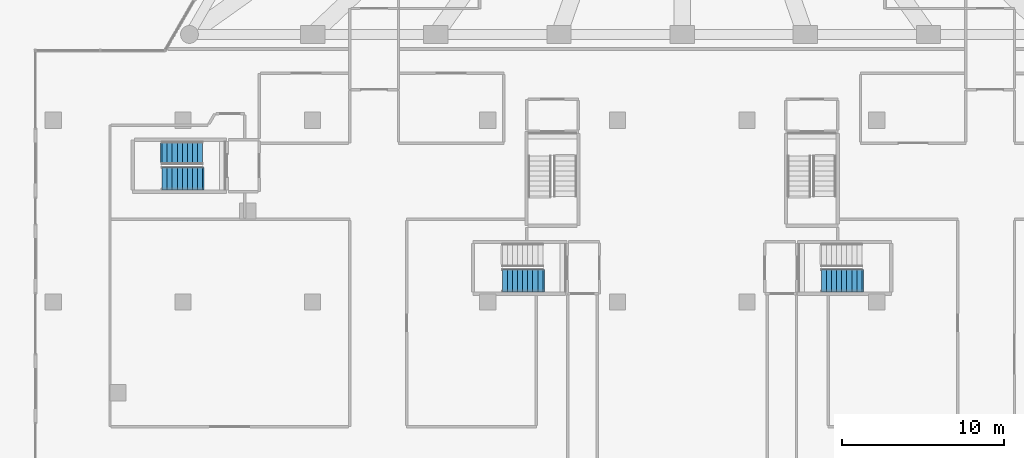
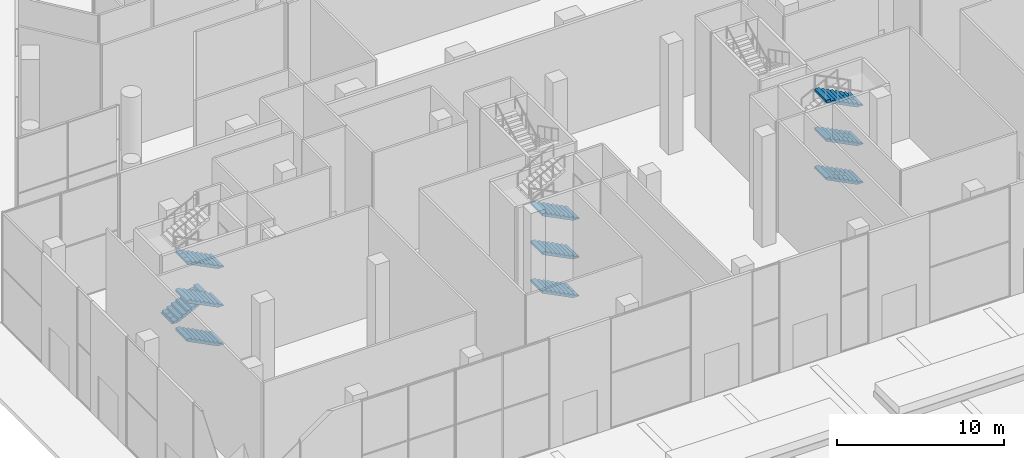
# One storey, part 28 of 41: 10 stair flights, 3 elements without a shape of their own.
"""IFC4 building model written with IfcOpenShell, lengths in metres."""

from ifc_helpers import new_model, si_unit, direction, frame, origin, place, context, subcontext, project, spatial, polyline, outline, extrude, material, type_object, element, aggregate, save


model = new_model("IFC4")

# Units and contexts
model_context = context("Model", 3, precision=1e-05, world=origin(), true_north=direction((0.0, 1.0)))
body_context = subcontext(model_context, "Body", "Model", "MODEL_VIEW")
ifc_project = project(units=[si_unit("LENGTHUNIT", "METRE"), si_unit("AREAUNIT", "SQUARE_METRE"), si_unit("VOLUMEUNIT", "CUBIC_METRE"), si_unit("PLANEANGLEUNIT", "RADIAN"), si_unit("MASSUNIT", "GRAM", prefix="KILO")], contexts=[model_context])

# Site, building, storey
site_placement = place(None, origin())
site = spatial("IfcSite", under=ifc_project, at=site_placement, CompositionType="ELEMENT")
building_placement = place(site_placement, origin())
building = spatial("IfcBuilding", under=site, at=building_placement, Name="Triada Interchange Tower", CompositionType="ELEMENT")
storey_placement = place(building_placement, origin())
storey = spatial("IfcBuildingStorey", under=building, at=storey_placement, Name="L00", CompositionType="ELEMENT", Elevation=0.0)

# Stair, stair flights
ifc_material = material(Name="Concrete C35/45", Category="concrete")
stair_type = type_object("IfcStairType", Name="HALF TURN STAIR 1400", PredefinedType="HALF_TURN_STAIR", material=ifc_material)
stair_1_placement = place(storey_placement, origin())
stair_1 = element("IfcStair", 1, at=stair_1_placement, inside=storey, type_object=stair_type, Name="Exit stair S00-4", PredefinedType="HALF_TURN_STAIR")
stair_flight_type = type_object("IfcStairFlightType", Name="STRAIGHT STAIR FLIGHT 1400", PredefinedType="STRAIGHT", material=ifc_material)
stair_flight_1_placement = place(storey_placement, frame((-8.60009765625, -36.800048828125, 0.0), z_axis=(0.0, 0.0, 1.0), x_axis=(-1.0, 0.0, 0.0)))
stair_flight_1 = element("IfcStairFlight", 2, at=stair_flight_1_placement, type_object=stair_flight_type, Name="S00-4 flight 1", NumberOfRisers=9, NumberOfTreads=8, PredefinedType="STRAIGHT", RiserHeight=0.15741, TreadLength=0.31, context=body_context, shape_type="SweptSolid", body=[
    extrude(outline(polyline([(-0.10009765625, 0.0), (-0.10009765625, 0.02001953125), (0.0, 0.02001953125), (0.0, 0.157470703125), (0.31005859375, 0.157470703125), (0.31005859375, 0.31494140625), (0.6201171875, 0.31494140625), (0.6201171875, 0.47216796875), (0.929931640625, 0.47216796875), (0.929931640625, 0.629638671875), (1.239990234375, 0.629638671875), (1.239990234375, 0.787109375), (1.550048828125, 0.787109375), (1.550048828125, 0.944580078125), (1.860107421875, 0.944580078125), (1.860107421875, 1.101806640625), (2.169921875, 1.101806640625), (2.169921875, 1.25927734375), (2.47998046875, 1.25927734375), (2.48388671875, 1.25927734375), (2.48388671875, 1.416748046875), (2.48388671875, 1.091064453125), (0.3310546875, 0.0), (-0.10009765625, 0.0)])), frame((0.0, 0.699951171875, 0.0), z_axis=(0.0, -1.0, 0.0), x_axis=(1.0, 0.0, 0.0)), (0.0, 0.0, 1.0), 0.46533203125),
    extrude(outline(polyline([(-0.10009765625, 0.0), (-0.10009765625, 0.02001953125), (0.0, 0.02001953125), (0.0, 0.157470703125), (0.31005859375, 0.157470703125), (0.31005859375, 0.31494140625), (0.6201171875, 0.31494140625), (0.6201171875, 0.47216796875), (0.929931640625, 0.47216796875), (0.929931640625, 0.629638671875), (1.239990234375, 0.629638671875), (1.239990234375, 0.787109375), (1.550048828125, 0.787109375), (1.550048828125, 0.944580078125), (1.860107421875, 0.944580078125), (1.860107421875, 1.101806640625), (2.169921875, 1.101806640625), (2.169921875, 1.25927734375), (2.47998046875, 1.25927734375), (2.48388671875, 1.25927734375), (2.48388671875, 1.416748046875), (2.48388671875, 1.091064453125), (0.3310546875, 0.0), (-0.10009765625, 0.0)])), frame((0.0, 0.232666015625, 0.0), z_axis=(0.0, -1.0, 0.0), x_axis=(1.0, 0.0, 0.0)), (0.0, 0.0, 1.0), 0.46533203125),
    extrude(outline(polyline([(-0.10009765625, 0.0), (-0.10009765625, 0.02001953125), (0.0, 0.02001953125), (0.0, 0.157470703125), (0.31005859375, 0.157470703125), (0.31005859375, 0.31494140625), (0.6201171875, 0.31494140625), (0.6201171875, 0.47216796875), (0.929931640625, 0.47216796875), (0.929931640625, 0.629638671875), (1.239990234375, 0.629638671875), (1.239990234375, 0.787109375), (1.550048828125, 0.787109375), (1.550048828125, 0.944580078125), (1.860107421875, 0.944580078125), (1.860107421875, 1.101806640625), (2.169921875, 1.101806640625), (2.169921875, 1.25927734375), (2.47998046875, 1.25927734375), (2.48388671875, 1.25927734375), (2.48388671875, 1.416748046875), (2.48388671875, 1.091064453125), (0.3310546875, 0.0), (-0.10009765625, 0.0)])), frame((0.0, -0.234619140625, 0.0), z_axis=(0.0, -1.0, 0.0), x_axis=(1.0, 0.0, 0.0)), (0.0, 0.0, 1.0), 0.46533203125),
])
stair_flight_2_placement = place(storey_placement, frame((-8.60009765625, -36.800048828125, 2.83349609375), z_axis=(0.0, 0.0, 1.0), x_axis=(-1.0, 0.0, 0.0)))
stair_flight_2 = element("IfcStairFlight", 3, at=stair_flight_2_placement, type_object=stair_flight_type, Name="S00-4 flight 3", NumberOfRisers=9, NumberOfTreads=8, PredefinedType="STRAIGHT", RiserHeight=0.15741, TreadLength=0.31, context=body_context, shape_type="SweptSolid", body=[
    extrude(outline(polyline([(-0.10009765625, 0.0), (-0.10009765625, 0.02001953125), (0.0, 0.02001953125), (0.0, 0.157470703125), (0.31005859375, 0.157470703125), (0.31005859375, 0.31494140625), (0.6201171875, 0.31494140625), (0.6201171875, 0.47216796875), (0.929931640625, 0.47216796875), (0.929931640625, 0.629638671875), (1.239990234375, 0.629638671875), (1.239990234375, 0.787109375), (1.550048828125, 0.787109375), (1.550048828125, 0.944580078125), (1.860107421875, 0.944580078125), (1.860107421875, 1.101806640625), (2.169921875, 1.101806640625), (2.169921875, 1.25927734375), (2.47998046875, 1.25927734375), (2.48388671875, 1.25927734375), (2.48388671875, 1.416748046875), (2.48388671875, 1.091064453125), (0.3310546875, 0.0), (-0.10009765625, 0.0)])), frame((0.0, 0.699951171875, 0.0), z_axis=(0.0, -1.0, 0.0), x_axis=(1.0, 0.0, 0.0)), (0.0, 0.0, 1.0), 0.46533203125),
    extrude(outline(polyline([(-0.10009765625, 0.0), (-0.10009765625, 0.02001953125), (0.0, 0.02001953125), (0.0, 0.157470703125), (0.31005859375, 0.157470703125), (0.31005859375, 0.31494140625), (0.6201171875, 0.31494140625), (0.6201171875, 0.47216796875), (0.929931640625, 0.47216796875), (0.929931640625, 0.629638671875), (1.239990234375, 0.629638671875), (1.239990234375, 0.787109375), (1.550048828125, 0.787109375), (1.550048828125, 0.944580078125), (1.860107421875, 0.944580078125), (1.860107421875, 1.101806640625), (2.169921875, 1.101806640625), (2.169921875, 1.25927734375), (2.47998046875, 1.25927734375), (2.48388671875, 1.25927734375), (2.48388671875, 1.416748046875), (2.48388671875, 1.091064453125), (0.3310546875, 0.0), (-0.10009765625, 0.0)])), frame((0.0, 0.232666015625, 0.0), z_axis=(0.0, -1.0, 0.0), x_axis=(1.0, 0.0, 0.0)), (0.0, 0.0, 1.0), 0.46533203125),
    extrude(outline(polyline([(-0.10009765625, 0.0), (-0.10009765625, 0.02001953125), (0.0, 0.02001953125), (0.0, 0.157470703125), (0.31005859375, 0.157470703125), (0.31005859375, 0.31494140625), (0.6201171875, 0.31494140625), (0.6201171875, 0.47216796875), (0.929931640625, 0.47216796875), (0.929931640625, 0.629638671875), (1.239990234375, 0.629638671875), (1.239990234375, 0.787109375), (1.550048828125, 0.787109375), (1.550048828125, 0.944580078125), (1.860107421875, 0.944580078125), (1.860107421875, 1.101806640625), (2.169921875, 1.101806640625), (2.169921875, 1.25927734375), (2.47998046875, 1.25927734375), (2.48388671875, 1.25927734375), (2.48388671875, 1.416748046875), (2.48388671875, 1.091064453125), (0.3310546875, 0.0), (-0.10009765625, 0.0)])), frame((0.0, -0.234619140625, 0.0), z_axis=(0.0, -1.0, 0.0), x_axis=(1.0, 0.0, 0.0)), (0.0, 0.0, 1.0), 0.46533203125),
])
stair_flight_3_placement = place(storey_placement, frame((-8.60009765625, -36.800048828125, 5.666748046875), z_axis=(0.0, 0.0, 1.0), x_axis=(-1.0, 0.0, 0.0)))
stair_flight_3 = element("IfcStairFlight", 4, at=stair_flight_3_placement, type_object=stair_flight_type, Name="S00-4 flight 5", NumberOfRisers=9, NumberOfTreads=8, PredefinedType="STRAIGHT", RiserHeight=0.15741, TreadLength=0.31, context=body_context, shape_type="SweptSolid", body=[
    extrude(outline(polyline([(-0.10009765625, 0.0), (-0.10009765625, 0.02001953125), (0.0, 0.02001953125), (0.0, 0.157470703125), (0.31005859375, 0.157470703125), (0.31005859375, 0.31494140625), (0.6201171875, 0.31494140625), (0.6201171875, 0.47216796875), (0.929931640625, 0.47216796875), (0.929931640625, 0.629638671875), (1.239990234375, 0.629638671875), (1.239990234375, 0.787109375), (1.550048828125, 0.787109375), (1.550048828125, 0.944580078125), (1.860107421875, 0.944580078125), (1.860107421875, 1.101806640625), (2.169921875, 1.101806640625), (2.169921875, 1.25927734375), (2.47998046875, 1.25927734375), (2.48388671875, 1.25927734375), (2.48388671875, 1.416748046875), (2.48388671875, 1.091064453125), (0.3310546875, 0.0), (-0.10009765625, 0.0)])), frame((0.0, 0.699951171875, 0.0), z_axis=(0.0, -1.0, 0.0), x_axis=(1.0, 0.0, 0.0)), (0.0, 0.0, 1.0), 0.46533203125),
    extrude(outline(polyline([(-0.10009765625, 0.0), (-0.10009765625, 0.02001953125), (0.0, 0.02001953125), (0.0, 0.157470703125), (0.31005859375, 0.157470703125), (0.31005859375, 0.31494140625), (0.6201171875, 0.31494140625), (0.6201171875, 0.47216796875), (0.929931640625, 0.47216796875), (0.929931640625, 0.629638671875), (1.239990234375, 0.629638671875), (1.239990234375, 0.787109375), (1.550048828125, 0.787109375), (1.550048828125, 0.944580078125), (1.860107421875, 0.944580078125), (1.860107421875, 1.101806640625), (2.169921875, 1.101806640625), (2.169921875, 1.25927734375), (2.47998046875, 1.25927734375), (2.48388671875, 1.25927734375), (2.48388671875, 1.416748046875), (2.48388671875, 1.091064453125), (0.3310546875, 0.0), (-0.10009765625, 0.0)])), frame((0.0, 0.232666015625, 0.0), z_axis=(0.0, -1.0, 0.0), x_axis=(1.0, 0.0, 0.0)), (0.0, 0.0, 1.0), 0.46533203125),
    extrude(outline(polyline([(-0.10009765625, 0.0), (-0.10009765625, 0.02001953125), (0.0, 0.02001953125), (0.0, 0.157470703125), (0.31005859375, 0.157470703125), (0.31005859375, 0.31494140625), (0.6201171875, 0.31494140625), (0.6201171875, 0.47216796875), (0.929931640625, 0.47216796875), (0.929931640625, 0.629638671875), (1.239990234375, 0.629638671875), (1.239990234375, 0.787109375), (1.550048828125, 0.787109375), (1.550048828125, 0.944580078125), (1.860107421875, 0.944580078125), (1.860107421875, 1.101806640625), (2.169921875, 1.101806640625), (2.169921875, 1.25927734375), (2.47998046875, 1.25927734375), (2.48388671875, 1.25927734375), (2.48388671875, 1.416748046875), (2.48388671875, 1.091064453125), (0.3310546875, 0.0), (-0.10009765625, 0.0)])), frame((0.0, -0.234619140625, 0.0), z_axis=(0.0, -1.0, 0.0), x_axis=(1.0, 0.0, 0.0)), (0.0, 0.0, 1.0), 0.46533203125),
])
aggregate(stair_1, [stair_flight_1, stair_flight_2, stair_flight_3])

stair_2_placement = place(storey_placement, origin())
stair_2 = element("IfcStair", 5, at=stair_2_placement, inside=storey, type_object=stair_type, Name="Exit stair S00-5", PredefinedType="HALF_TURN_STAIR")
stair_flight_4_placement = place(storey_placement, frame((11.080078125, -36.800048828125, 1.416748046875), z_axis=(0.0, 0.0, 1.0), x_axis=(-1.0, 0.0, 0.0)))
stair_flight_4 = element("IfcStairFlight", 6, at=stair_flight_4_placement, type_object=stair_flight_type, Name="S00-5 flight 2", NumberOfRisers=9, NumberOfTreads=8, PredefinedType="STRAIGHT", RiserHeight=0.15741, TreadLength=0.31, context=body_context, shape_type="SweptSolid", body=[
    extrude(outline(polyline([(-0.10009765625, 0.0), (-0.10009765625, 0.02001953125), (0.0, 0.02001953125), (0.0, 0.157470703125), (0.31005859375, 0.157470703125), (0.31005859375, 0.31494140625), (0.6201171875, 0.31494140625), (0.6201171875, 0.47216796875), (0.929931640625, 0.47216796875), (0.929931640625, 0.629638671875), (1.239990234375, 0.629638671875), (1.239990234375, 0.787109375), (1.550048828125, 0.787109375), (1.550048828125, 0.944580078125), (1.860107421875, 0.944580078125), (1.860107421875, 1.101806640625), (2.169921875, 1.101806640625), (2.169921875, 1.25927734375), (2.47998046875, 1.25927734375), (2.48388671875, 1.25927734375), (2.48388671875, 1.416748046875), (2.48388671875, 1.091064453125), (0.3310546875, 0.0), (-0.10009765625, 0.0)])), frame((0.0, 0.699951171875, 0.0), z_axis=(0.0, -1.0, 0.0), x_axis=(1.0, 0.0, 0.0)), (0.0, 0.0, 1.0), 0.46533203125),
    extrude(outline(polyline([(-0.10009765625, 0.0), (-0.10009765625, 0.02001953125), (0.0, 0.02001953125), (0.0, 0.157470703125), (0.31005859375, 0.157470703125), (0.31005859375, 0.31494140625), (0.6201171875, 0.31494140625), (0.6201171875, 0.47216796875), (0.929931640625, 0.47216796875), (0.929931640625, 0.629638671875), (1.239990234375, 0.629638671875), (1.239990234375, 0.787109375), (1.550048828125, 0.787109375), (1.550048828125, 0.944580078125), (1.860107421875, 0.944580078125), (1.860107421875, 1.101806640625), (2.169921875, 1.101806640625), (2.169921875, 1.25927734375), (2.47998046875, 1.25927734375), (2.48388671875, 1.25927734375), (2.48388671875, 1.416748046875), (2.48388671875, 1.091064453125), (0.3310546875, 0.0), (-0.10009765625, 0.0)])), frame((0.0, 0.232666015625, 0.0), z_axis=(0.0, -1.0, 0.0), x_axis=(1.0, 0.0, 0.0)), (0.0, 0.0, 1.0), 0.46533203125),
    extrude(outline(polyline([(-0.10009765625, 0.0), (-0.10009765625, 0.02001953125), (0.0, 0.02001953125), (0.0, 0.157470703125), (0.31005859375, 0.157470703125), (0.31005859375, 0.31494140625), (0.6201171875, 0.31494140625), (0.6201171875, 0.47216796875), (0.929931640625, 0.47216796875), (0.929931640625, 0.629638671875), (1.239990234375, 0.629638671875), (1.239990234375, 0.787109375), (1.550048828125, 0.787109375), (1.550048828125, 0.944580078125), (1.860107421875, 0.944580078125), (1.860107421875, 1.101806640625), (2.169921875, 1.101806640625), (2.169921875, 1.25927734375), (2.47998046875, 1.25927734375), (2.48388671875, 1.25927734375), (2.48388671875, 1.416748046875), (2.48388671875, 1.091064453125), (0.3310546875, 0.0), (-0.10009765625, 0.0)])), frame((0.0, -0.234619140625, 0.0), z_axis=(0.0, -1.0, 0.0), x_axis=(1.0, 0.0, 0.0)), (0.0, 0.0, 1.0), 0.46533203125),
])
stair_flight_5_placement = place(storey_placement, frame((11.080078125, -36.800048828125, 4.25), z_axis=(0.0, 0.0, 1.0), x_axis=(-1.0, 0.0, 0.0)))
stair_flight_5 = element("IfcStairFlight", 7, at=stair_flight_5_placement, type_object=stair_flight_type, Name="S00-5 flight 4", NumberOfRisers=9, NumberOfTreads=8, PredefinedType="STRAIGHT", RiserHeight=0.15741, TreadLength=0.31, context=body_context, shape_type="SweptSolid", body=[
    extrude(outline(polyline([(-0.10009765625, 0.0), (-0.10009765625, 0.02001953125), (0.0, 0.02001953125), (0.0, 0.157470703125), (0.31005859375, 0.157470703125), (0.31005859375, 0.31494140625), (0.6201171875, 0.31494140625), (0.6201171875, 0.47216796875), (0.929931640625, 0.47216796875), (0.929931640625, 0.629638671875), (1.239990234375, 0.629638671875), (1.239990234375, 0.787109375), (1.550048828125, 0.787109375), (1.550048828125, 0.944580078125), (1.860107421875, 0.944580078125), (1.860107421875, 1.101806640625), (2.169921875, 1.101806640625), (2.169921875, 1.25927734375), (2.47998046875, 1.25927734375), (2.48388671875, 1.25927734375), (2.48388671875, 1.416748046875), (2.48388671875, 1.091064453125), (0.3310546875, 0.0), (-0.10009765625, 0.0)])), frame((0.0, 0.699951171875, 0.0), z_axis=(0.0, -1.0, 0.0), x_axis=(1.0, 0.0, 0.0)), (0.0, 0.0, 1.0), 0.46533203125),
    extrude(outline(polyline([(-0.10009765625, 0.0), (-0.10009765625, 0.02001953125), (0.0, 0.02001953125), (0.0, 0.157470703125), (0.31005859375, 0.157470703125), (0.31005859375, 0.31494140625), (0.6201171875, 0.31494140625), (0.6201171875, 0.47216796875), (0.929931640625, 0.47216796875), (0.929931640625, 0.629638671875), (1.239990234375, 0.629638671875), (1.239990234375, 0.787109375), (1.550048828125, 0.787109375), (1.550048828125, 0.944580078125), (1.860107421875, 0.944580078125), (1.860107421875, 1.101806640625), (2.169921875, 1.101806640625), (2.169921875, 1.25927734375), (2.47998046875, 1.25927734375), (2.48388671875, 1.25927734375), (2.48388671875, 1.416748046875), (2.48388671875, 1.091064453125), (0.3310546875, 0.0), (-0.10009765625, 0.0)])), frame((0.0, 0.232666015625, 0.0), z_axis=(0.0, -1.0, 0.0), x_axis=(1.0, 0.0, 0.0)), (0.0, 0.0, 1.0), 0.46533203125),
    extrude(outline(polyline([(-0.10009765625, 0.0), (-0.10009765625, 0.02001953125), (0.0, 0.02001953125), (0.0, 0.157470703125), (0.31005859375, 0.157470703125), (0.31005859375, 0.31494140625), (0.6201171875, 0.31494140625), (0.6201171875, 0.47216796875), (0.929931640625, 0.47216796875), (0.929931640625, 0.629638671875), (1.239990234375, 0.629638671875), (1.239990234375, 0.787109375), (1.550048828125, 0.787109375), (1.550048828125, 0.944580078125), (1.860107421875, 0.944580078125), (1.860107421875, 1.101806640625), (2.169921875, 1.101806640625), (2.169921875, 1.25927734375), (2.47998046875, 1.25927734375), (2.48388671875, 1.25927734375), (2.48388671875, 1.416748046875), (2.48388671875, 1.091064453125), (0.3310546875, 0.0), (-0.10009765625, 0.0)])), frame((0.0, -0.234619140625, 0.0), z_axis=(0.0, -1.0, 0.0), x_axis=(1.0, 0.0, 0.0)), (0.0, 0.0, 1.0), 0.46533203125),
])
stair_flight_6_placement = place(storey_placement, frame((11.080078125, -36.800048828125, 7.08349609375), z_axis=(0.0, 0.0, 1.0), x_axis=(-1.0, 0.0, 0.0)))
stair_flight_6 = element("IfcStairFlight", 8, at=stair_flight_6_placement, type_object=stair_flight_type, Name="S00-5 flight 6", NumberOfRisers=9, NumberOfTreads=8, PredefinedType="STRAIGHT", RiserHeight=0.15741, TreadLength=0.31, context=body_context, shape_type="SweptSolid", body=[
    extrude(outline(polyline([(-0.10009765625, 0.0), (-0.10009765625, 0.02001953125), (0.0, 0.02001953125), (0.0, 0.157470703125), (0.31005859375, 0.157470703125), (0.31005859375, 0.31494140625), (0.6201171875, 0.31494140625), (0.6201171875, 0.47216796875), (0.929931640625, 0.47216796875), (0.929931640625, 0.629638671875), (1.239990234375, 0.629638671875), (1.239990234375, 0.787109375), (1.550048828125, 0.787109375), (1.550048828125, 0.944580078125), (1.860107421875, 0.944580078125), (1.860107421875, 1.101806640625), (2.169921875, 1.101806640625), (2.169921875, 1.25927734375), (2.47998046875, 1.25927734375), (2.48388671875, 1.25927734375), (2.48388671875, 1.416748046875), (2.48388671875, 1.091064453125), (0.3310546875, 0.0), (-0.10009765625, 0.0)])), frame((0.0, 0.699951171875, 0.0), z_axis=(0.0, -1.0, 0.0), x_axis=(1.0, 0.0, 0.0)), (0.0, 0.0, 1.0), 0.46533203125),
    extrude(outline(polyline([(-0.10009765625, 0.0), (-0.10009765625, 0.02001953125), (0.0, 0.02001953125), (0.0, 0.157470703125), (0.31005859375, 0.157470703125), (0.31005859375, 0.31494140625), (0.6201171875, 0.31494140625), (0.6201171875, 0.47216796875), (0.929931640625, 0.47216796875), (0.929931640625, 0.629638671875), (1.239990234375, 0.629638671875), (1.239990234375, 0.787109375), (1.550048828125, 0.787109375), (1.550048828125, 0.944580078125), (1.860107421875, 0.944580078125), (1.860107421875, 1.101806640625), (2.169921875, 1.101806640625), (2.169921875, 1.25927734375), (2.47998046875, 1.25927734375), (2.48388671875, 1.25927734375), (2.48388671875, 1.416748046875), (2.48388671875, 1.091064453125), (0.3310546875, 0.0), (-0.10009765625, 0.0)])), frame((0.0, 0.232666015625, 0.0), z_axis=(0.0, -1.0, 0.0), x_axis=(1.0, 0.0, 0.0)), (0.0, 0.0, 1.0), 0.46533203125),
    extrude(outline(polyline([(-0.10009765625, 0.0), (-0.10009765625, 0.02001953125), (0.0, 0.02001953125), (0.0, 0.157470703125), (0.31005859375, 0.157470703125), (0.31005859375, 0.31494140625), (0.6201171875, 0.31494140625), (0.6201171875, 0.47216796875), (0.929931640625, 0.47216796875), (0.929931640625, 0.629638671875), (1.239990234375, 0.629638671875), (1.239990234375, 0.787109375), (1.550048828125, 0.787109375), (1.550048828125, 0.944580078125), (1.860107421875, 0.944580078125), (1.860107421875, 1.101806640625), (2.169921875, 1.101806640625), (2.169921875, 1.25927734375), (2.47998046875, 1.25927734375), (2.48388671875, 1.25927734375), (2.48388671875, 1.416748046875), (2.48388671875, 1.091064453125), (0.3310546875, 0.0), (-0.10009765625, 0.0)])), frame((0.0, -0.234619140625, 0.0), z_axis=(0.0, -1.0, 0.0), x_axis=(1.0, 0.0, 0.0)), (0.0, 0.0, 1.0), 0.46533203125),
])
aggregate(stair_2, [stair_flight_4, stair_flight_5, stair_flight_6])

stair_3_placement = place(storey_placement, origin())
stair_3 = element("IfcStair", 9, at=stair_3_placement, inside=storey, type_object=stair_type, Name="Exit stair S00-8", PredefinedType="HALF_TURN_STAIR")
stair_flight_7_placement = place(storey_placement, frame((-29.60009765625, -30.5, 0.0), z_axis=(0.0, 0.0, 1.0), x_axis=(-1.0, 0.0, 0.0)))
stair_flight_7 = element("IfcStairFlight", 10, at=stair_flight_7_placement, type_object=stair_flight_type, Name="S00-8 flight 1", NumberOfRisers=9, NumberOfTreads=8, PredefinedType="STRAIGHT", RiserHeight=0.15741, TreadLength=0.31, context=body_context, shape_type="SweptSolid", body=[
    extrude(outline(polyline([(-0.10009765625, 0.0), (-0.10009765625, 0.02001953125), (0.0, 0.02001953125), (0.0, 0.157470703125), (0.31005859375, 0.157470703125), (0.31005859375, 0.31494140625), (0.6201171875, 0.31494140625), (0.6201171875, 0.47216796875), (0.929931640625, 0.47216796875), (0.929931640625, 0.629638671875), (1.239990234375, 0.629638671875), (1.239990234375, 0.787109375), (1.550048828125, 0.787109375), (1.550048828125, 0.944580078125), (1.860107421875, 0.944580078125), (1.860107421875, 1.101806640625), (2.169921875, 1.101806640625), (2.169921875, 1.25927734375), (2.47998046875, 1.25927734375), (2.48388671875, 1.25927734375), (2.48388671875, 1.416748046875), (2.48388671875, 1.091064453125), (0.3310546875, 0.0), (-0.10009765625, 0.0)])), frame((0.0, 0.699951171875, 0.0), z_axis=(0.0, -1.0, 0.0), x_axis=(1.0, 0.0, 0.0)), (0.0, 0.0, 1.0), 0.46533203125),
    extrude(outline(polyline([(-0.10009765625, 0.0), (-0.10009765625, 0.02001953125), (0.0, 0.02001953125), (0.0, 0.157470703125), (0.31005859375, 0.157470703125), (0.31005859375, 0.31494140625), (0.6201171875, 0.31494140625), (0.6201171875, 0.47216796875), (0.929931640625, 0.47216796875), (0.929931640625, 0.629638671875), (1.239990234375, 0.629638671875), (1.239990234375, 0.787109375), (1.550048828125, 0.787109375), (1.550048828125, 0.944580078125), (1.860107421875, 0.944580078125), (1.860107421875, 1.101806640625), (2.169921875, 1.101806640625), (2.169921875, 1.25927734375), (2.47998046875, 1.25927734375), (2.48388671875, 1.25927734375), (2.48388671875, 1.416748046875), (2.48388671875, 1.091064453125), (0.3310546875, 0.0), (-0.10009765625, 0.0)])), frame((0.0, 0.232666015625, 0.0), z_axis=(0.0, -1.0, 0.0), x_axis=(1.0, 0.0, 0.0)), (0.0, 0.0, 1.0), 0.46533203125),
    extrude(outline(polyline([(-0.10009765625, 0.0), (-0.10009765625, 0.02001953125), (0.0, 0.02001953125), (0.0, 0.157470703125), (0.31005859375, 0.157470703125), (0.31005859375, 0.31494140625), (0.6201171875, 0.31494140625), (0.6201171875, 0.47216796875), (0.929931640625, 0.47216796875), (0.929931640625, 0.629638671875), (1.239990234375, 0.629638671875), (1.239990234375, 0.787109375), (1.550048828125, 0.787109375), (1.550048828125, 0.944580078125), (1.860107421875, 0.944580078125), (1.860107421875, 1.101806640625), (2.169921875, 1.101806640625), (2.169921875, 1.25927734375), (2.47998046875, 1.25927734375), (2.48388671875, 1.25927734375), (2.48388671875, 1.416748046875), (2.48388671875, 1.091064453125), (0.3310546875, 0.0), (-0.10009765625, 0.0)])), frame((0.0, -0.234619140625, 0.0), z_axis=(0.0, -1.0, 0.0), x_axis=(1.0, 0.0, 0.0)), (0.0, 0.0, 1.0), 0.46533203125),
])
stair_flight_8_placement = place(storey_placement, frame((-32.080078125, -28.89990234375, 1.416748046875), z_axis=(0.0, 0.0, 1.0), x_axis=(1.0, 0.0, 0.0)))
stair_flight_8 = element("IfcStairFlight", 11, at=stair_flight_8_placement, type_object=stair_flight_type, Name="S00-8 flight 2", NumberOfRisers=9, NumberOfTreads=8, PredefinedType="STRAIGHT", RiserHeight=0.15741, TreadLength=0.31, context=body_context, shape_type="SweptSolid", body=[
    extrude(outline(polyline([(-0.10009765625, 0.0), (-0.10009765625, 0.02001953125), (0.0, 0.02001953125), (0.0, 0.157470703125), (0.31005859375, 0.157470703125), (0.31005859375, 0.31494140625), (0.6201171875, 0.31494140625), (0.6201171875, 0.47216796875), (0.929931640625, 0.47216796875), (0.929931640625, 0.629638671875), (1.239990234375, 0.629638671875), (1.239990234375, 0.787109375), (1.550048828125, 0.787109375), (1.550048828125, 0.944580078125), (1.860107421875, 0.944580078125), (1.860107421875, 1.101806640625), (2.169921875, 1.101806640625), (2.169921875, 1.25927734375), (2.47998046875, 1.25927734375), (2.48388671875, 1.25927734375), (2.48388671875, 1.416748046875), (2.48388671875, 1.091064453125), (0.3310546875, 0.0), (-0.10009765625, 0.0)])), frame((0.0, 0.699951171875, 0.0), z_axis=(0.0, -1.0, 0.0), x_axis=(1.0, 0.0, 0.0)), (0.0, 0.0, 1.0), 0.46533203125),
    extrude(outline(polyline([(-0.10009765625, 0.0), (-0.10009765625, 0.02001953125), (0.0, 0.02001953125), (0.0, 0.157470703125), (0.31005859375, 0.157470703125), (0.31005859375, 0.31494140625), (0.6201171875, 0.31494140625), (0.6201171875, 0.47216796875), (0.929931640625, 0.47216796875), (0.929931640625, 0.629638671875), (1.239990234375, 0.629638671875), (1.239990234375, 0.787109375), (1.550048828125, 0.787109375), (1.550048828125, 0.944580078125), (1.860107421875, 0.944580078125), (1.860107421875, 1.101806640625), (2.169921875, 1.101806640625), (2.169921875, 1.25927734375), (2.47998046875, 1.25927734375), (2.48388671875, 1.25927734375), (2.48388671875, 1.416748046875), (2.48388671875, 1.091064453125), (0.3310546875, 0.0), (-0.10009765625, 0.0)])), frame((0.0, 0.232666015625, 0.0), z_axis=(0.0, -1.0, 0.0), x_axis=(1.0, 0.0, 0.0)), (0.0, 0.0, 1.0), 0.46533203125),
    extrude(outline(polyline([(-0.10009765625, 0.0), (-0.10009765625, 0.02001953125), (0.0, 0.02001953125), (0.0, 0.157470703125), (0.31005859375, 0.157470703125), (0.31005859375, 0.31494140625), (0.6201171875, 0.31494140625), (0.6201171875, 0.47216796875), (0.929931640625, 0.47216796875), (0.929931640625, 0.629638671875), (1.239990234375, 0.629638671875), (1.239990234375, 0.787109375), (1.550048828125, 0.787109375), (1.550048828125, 0.944580078125), (1.860107421875, 0.944580078125), (1.860107421875, 1.101806640625), (2.169921875, 1.101806640625), (2.169921875, 1.25927734375), (2.47998046875, 1.25927734375), (2.48388671875, 1.25927734375), (2.48388671875, 1.416748046875), (2.48388671875, 1.091064453125), (0.3310546875, 0.0), (-0.10009765625, 0.0)])), frame((0.0, -0.234619140625, 0.0), z_axis=(0.0, -1.0, 0.0), x_axis=(1.0, 0.0, 0.0)), (0.0, 0.0, 1.0), 0.46533203125),
])
stair_flight_9_placement = place(storey_placement, frame((-29.60009765625, -30.5, 2.83349609375), z_axis=(0.0, 0.0, 1.0), x_axis=(-1.0, 0.0, 0.0)))
stair_flight_9 = element("IfcStairFlight", 12, at=stair_flight_9_placement, type_object=stair_flight_type, Name="S00-8 flight 3", NumberOfRisers=9, NumberOfTreads=8, PredefinedType="STRAIGHT", RiserHeight=0.15741, TreadLength=0.31, context=body_context, shape_type="SweptSolid", body=[
    extrude(outline(polyline([(-0.10009765625, 0.0), (-0.10009765625, 0.02001953125), (0.0, 0.02001953125), (0.0, 0.157470703125), (0.31005859375, 0.157470703125), (0.31005859375, 0.31494140625), (0.6201171875, 0.31494140625), (0.6201171875, 0.47216796875), (0.929931640625, 0.47216796875), (0.929931640625, 0.629638671875), (1.239990234375, 0.629638671875), (1.239990234375, 0.787109375), (1.550048828125, 0.787109375), (1.550048828125, 0.944580078125), (1.860107421875, 0.944580078125), (1.860107421875, 1.101806640625), (2.169921875, 1.101806640625), (2.169921875, 1.25927734375), (2.47998046875, 1.25927734375), (2.48388671875, 1.25927734375), (2.48388671875, 1.416748046875), (2.48388671875, 1.091064453125), (0.3310546875, 0.0), (-0.10009765625, 0.0)])), frame((0.0, 0.699951171875, 0.0), z_axis=(0.0, -1.0, 0.0), x_axis=(1.0, 0.0, 0.0)), (0.0, 0.0, 1.0), 0.46533203125),
    extrude(outline(polyline([(-0.10009765625, 0.0), (-0.10009765625, 0.02001953125), (0.0, 0.02001953125), (0.0, 0.157470703125), (0.31005859375, 0.157470703125), (0.31005859375, 0.31494140625), (0.6201171875, 0.31494140625), (0.6201171875, 0.47216796875), (0.929931640625, 0.47216796875), (0.929931640625, 0.629638671875), (1.239990234375, 0.629638671875), (1.239990234375, 0.787109375), (1.550048828125, 0.787109375), (1.550048828125, 0.944580078125), (1.860107421875, 0.944580078125), (1.860107421875, 1.101806640625), (2.169921875, 1.101806640625), (2.169921875, 1.25927734375), (2.47998046875, 1.25927734375), (2.48388671875, 1.25927734375), (2.48388671875, 1.416748046875), (2.48388671875, 1.091064453125), (0.3310546875, 0.0), (-0.10009765625, 0.0)])), frame((0.0, 0.232666015625, 0.0), z_axis=(0.0, -1.0, 0.0), x_axis=(1.0, 0.0, 0.0)), (0.0, 0.0, 1.0), 0.46533203125),
    extrude(outline(polyline([(-0.10009765625, 0.0), (-0.10009765625, 0.02001953125), (0.0, 0.02001953125), (0.0, 0.157470703125), (0.31005859375, 0.157470703125), (0.31005859375, 0.31494140625), (0.6201171875, 0.31494140625), (0.6201171875, 0.47216796875), (0.929931640625, 0.47216796875), (0.929931640625, 0.629638671875), (1.239990234375, 0.629638671875), (1.239990234375, 0.787109375), (1.550048828125, 0.787109375), (1.550048828125, 0.944580078125), (1.860107421875, 0.944580078125), (1.860107421875, 1.101806640625), (2.169921875, 1.101806640625), (2.169921875, 1.25927734375), (2.47998046875, 1.25927734375), (2.48388671875, 1.25927734375), (2.48388671875, 1.416748046875), (2.48388671875, 1.091064453125), (0.3310546875, 0.0), (-0.10009765625, 0.0)])), frame((0.0, -0.234619140625, 0.0), z_axis=(0.0, -1.0, 0.0), x_axis=(1.0, 0.0, 0.0)), (0.0, 0.0, 1.0), 0.46533203125),
])
stair_flight_10_placement = place(storey_placement, frame((-29.60009765625, -30.5, 5.666748046875), z_axis=(0.0, 0.0, 1.0), x_axis=(-1.0, 0.0, 0.0)))
stair_flight_10 = element("IfcStairFlight", 13, at=stair_flight_10_placement, type_object=stair_flight_type, Name="S00-8 flight 5", NumberOfRisers=9, NumberOfTreads=8, PredefinedType="STRAIGHT", RiserHeight=0.15741, TreadLength=0.31, context=body_context, shape_type="SweptSolid", body=[
    extrude(outline(polyline([(-0.10009765625, 0.0), (-0.10009765625, 0.02001953125), (0.0, 0.02001953125), (0.0, 0.157470703125), (0.31005859375, 0.157470703125), (0.31005859375, 0.31494140625), (0.6201171875, 0.31494140625), (0.6201171875, 0.47216796875), (0.929931640625, 0.47216796875), (0.929931640625, 0.629638671875), (1.239990234375, 0.629638671875), (1.239990234375, 0.787109375), (1.550048828125, 0.787109375), (1.550048828125, 0.944580078125), (1.860107421875, 0.944580078125), (1.860107421875, 1.101806640625), (2.169921875, 1.101806640625), (2.169921875, 1.25927734375), (2.47998046875, 1.25927734375), (2.48388671875, 1.25927734375), (2.48388671875, 1.416748046875), (2.48388671875, 1.091064453125), (0.3310546875, 0.0), (-0.10009765625, 0.0)])), frame((0.0, 0.699951171875, 0.0), z_axis=(0.0, -1.0, 0.0), x_axis=(1.0, 0.0, 0.0)), (0.0, 0.0, 1.0), 0.46533203125),
    extrude(outline(polyline([(-0.10009765625, 0.0), (-0.10009765625, 0.02001953125), (0.0, 0.02001953125), (0.0, 0.157470703125), (0.31005859375, 0.157470703125), (0.31005859375, 0.31494140625), (0.6201171875, 0.31494140625), (0.6201171875, 0.47216796875), (0.929931640625, 0.47216796875), (0.929931640625, 0.629638671875), (1.239990234375, 0.629638671875), (1.239990234375, 0.787109375), (1.550048828125, 0.787109375), (1.550048828125, 0.944580078125), (1.860107421875, 0.944580078125), (1.860107421875, 1.101806640625), (2.169921875, 1.101806640625), (2.169921875, 1.25927734375), (2.47998046875, 1.25927734375), (2.48388671875, 1.25927734375), (2.48388671875, 1.416748046875), (2.48388671875, 1.091064453125), (0.3310546875, 0.0), (-0.10009765625, 0.0)])), frame((0.0, 0.232666015625, 0.0), z_axis=(0.0, -1.0, 0.0), x_axis=(1.0, 0.0, 0.0)), (0.0, 0.0, 1.0), 0.46533203125),
    extrude(outline(polyline([(-0.10009765625, 0.0), (-0.10009765625, 0.02001953125), (0.0, 0.02001953125), (0.0, 0.157470703125), (0.31005859375, 0.157470703125), (0.31005859375, 0.31494140625), (0.6201171875, 0.31494140625), (0.6201171875, 0.47216796875), (0.929931640625, 0.47216796875), (0.929931640625, 0.629638671875), (1.239990234375, 0.629638671875), (1.239990234375, 0.787109375), (1.550048828125, 0.787109375), (1.550048828125, 0.944580078125), (1.860107421875, 0.944580078125), (1.860107421875, 1.101806640625), (2.169921875, 1.101806640625), (2.169921875, 1.25927734375), (2.47998046875, 1.25927734375), (2.48388671875, 1.25927734375), (2.48388671875, 1.416748046875), (2.48388671875, 1.091064453125), (0.3310546875, 0.0), (-0.10009765625, 0.0)])), frame((0.0, -0.234619140625, 0.0), z_axis=(0.0, -1.0, 0.0), x_axis=(1.0, 0.0, 0.0)), (0.0, 0.0, 1.0), 0.46533203125),
])
aggregate(stair_3, [stair_flight_7, stair_flight_8, stair_flight_9, stair_flight_10])

save(model, "model.ifc")
